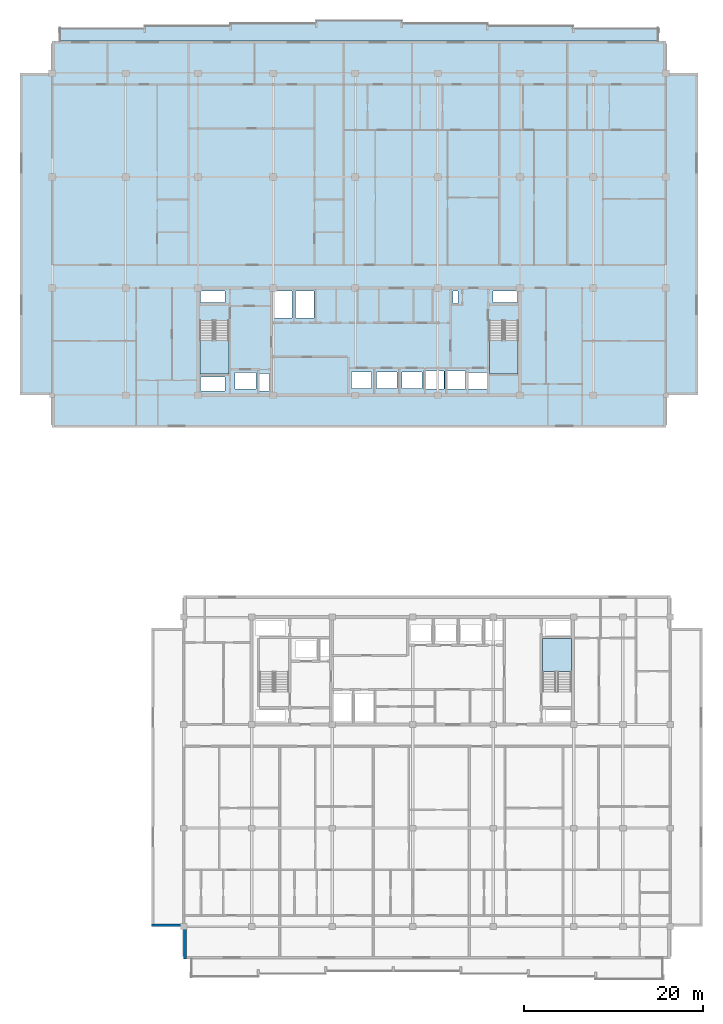
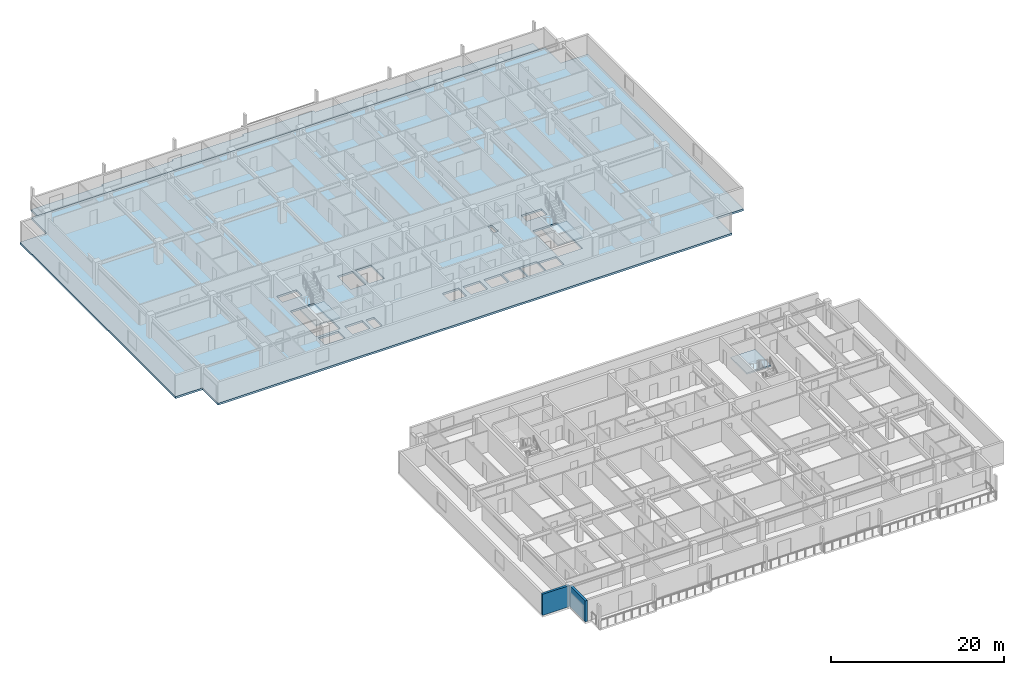
# One storey, part 3 of 21: 5 slabs, 2 walls, 3 elements without a shape of their own.
"""IFC4 building model written with IfcOpenShell, lengths in metres."""

import ifcopenshell
import ifcopenshell.guid

model = None  # the IFC model being written
_history = None  # IfcOwnerHistory: only IFC2X3 demands one
_inside = {}  # id of a spatial element -> (the spatial element, [elements in it])
_under = {}  # id of a project, library or spatial element -> (it, [spatial elements below it])
_declared = {}  # id of a project -> (the project, [libraries it declares])
_typed = {}  # id of a type object -> (the type object, [elements of that type])
_made_of = {}  # id of a material, layer set ... -> (it, [elements and type objects made of it])


def new_model(schema):
    """Start an empty IFC model of exactly this schema.

    Asked for "IFC4X3", IfcOpenShell would pick the latest addendum, in which some entities
    have other attributes; the version numbers below select the first issue.
    IFC2X3 requires an IfcOwnerHistory on every rooted entity: one is made here for all.
    """
    global model, _history
    if schema == "IFC4X3":
        model = ifcopenshell.file(schema_version=(4, 3, 0, 0))
    else:
        model = ifcopenshell.file(schema=schema)
    _inside.clear()
    _under.clear()
    _declared.clear()
    _typed.clear()
    _made_of.clear()
    _history = None
    if model.schema == "IFC2X3":
        org = make("IfcOrganization", Name="unknown")
        user = make(
            "IfcPersonAndOrganization",
            ThePerson=make("IfcPerson", FamilyName="unknown"),
            TheOrganization=org,
        )
        app = make(
            "IfcApplication",
            ApplicationDeveloper=org,
            Version="unknown",
            ApplicationFullName="unknown",
            ApplicationIdentifier="unknown",
        )
        _history = make(
            "IfcOwnerHistory",
            OwningUser=user,
            OwningApplication=app,
            ChangeAction="ADDED",
            CreationDate=0,
        )
    return model


def make(cls, **values):
    """One entity of the class cls with the attributes given. An attribute that is None is left unset."""
    return model.create_entity(
        cls, **{name: value for name, value in values.items() if value is not None}
    )


def rooted(cls, **values):
    """An entity with a GlobalId (a new one), such as an element, a storey or a relation."""
    return make(cls, GlobalId=ifcopenshell.guid.new(), OwnerHistory=_history, **values)


def si_unit(unit_type, name, prefix=None):
    """IfcSIUnit, for example si_unit("LENGTHUNIT", "METRE", prefix="MILLI")."""
    return make("IfcSIUnit", UnitType=unit_type, Prefix=prefix, Name=name)


def assignment(units):
    """IfcUnitAssignment: the units of a project."""
    return None if units is None else make("IfcUnitAssignment", Units=units)


def point(xyz):
    """IfcCartesianPoint."""
    return None if xyz is None else make("IfcCartesianPoint", Coordinates=xyz)


def direction(xyz):
    """IfcDirection."""
    return None if xyz is None else make("IfcDirection", DirectionRatios=xyz)


def frame(location, z_axis=None, x_axis=None):
    """IfcAxis2Placement3D, a coordinate frame: its origin and axes. An axis left out is left unset."""
    return make(
        "IfcAxis2Placement3D",
        Location=point(location),
        Axis=direction(z_axis),
        RefDirection=direction(x_axis),
    )


def frame_2d(location, x_axis=None):
    """IfcAxis2Placement2D, a coordinate frame in the plane: its origin and x axis."""
    return make(
        "IfcAxis2Placement2D", Location=point(location), RefDirection=direction(x_axis)
    )


def origin():
    """The frame at (0, 0, 0) with its axes left unset."""
    return frame((0.0, 0.0, 0.0))


def place(relative_to, where):
    """IfcLocalPlacement: puts the frame where relative to a parent placement (None: the world)."""
    return make(
        "IfcLocalPlacement", PlacementRelTo=relative_to, RelativePlacement=where
    )


def context(
    kind, dimensions, precision=None, world=None, true_north=None, identifier=None
):
    """IfcGeometricRepresentationContext, for example the 3D "Model" context."""
    return make(
        "IfcGeometricRepresentationContext",
        ContextIdentifier=identifier,
        ContextType=kind,
        CoordinateSpaceDimension=dimensions,
        Precision=precision,
        WorldCoordinateSystem=world,
        TrueNorth=true_north,
    )


def subcontext(parent, identifier, kind, view, scale=None):
    """IfcGeometricRepresentationSubContext, for example "Body" below "Model"."""
    return make(
        "IfcGeometricRepresentationSubContext",
        ContextIdentifier=identifier,
        ContextType=kind,
        ParentContext=parent,
        TargetScale=scale,
        TargetView=view,
    )


def project(units=None, contexts=None):
    """IfcProject with its units and contexts."""
    return rooted(
        "IfcProject",
        Name="project",
        RepresentationContexts=contexts,
        UnitsInContext=assignment(units),
    )


def spatial(cls, under=None, at=None, **own):
    """A site, building, storey or space (cls), placed at a placement, below another one or the project."""
    s = rooted(cls, ObjectPlacement=at, **own)
    if under is not None:
        _under.setdefault(under.id(), (under, []))[1].append(s)
    return s


def polyline(points):
    """IfcPolyline through the points."""
    return make("IfcPolyline", Points=[point(p) for p in points])


def profile(cls, at=None, kind="AREA", **sizes):
    """A parametric profile (cls). Its sizes go by their IFC names, for example OverallWidth=200.0."""
    return make(cls, ProfileType=kind, Position=at, **sizes)


def rectangle(**sizes):
    """IfcRectangleProfileDef."""
    return profile("IfcRectangleProfileDef", **sizes)


def outline(outer, holes=None, kind="AREA"):
    """IfcArbitraryClosedProfileDef: a profile drawn as a closed curve; with holes, ...WithVoids."""
    if holes is None:
        return make("IfcArbitraryClosedProfileDef", ProfileType=kind, OuterCurve=outer)
    return make(
        "IfcArbitraryProfileDefWithVoids",
        ProfileType=kind,
        OuterCurve=outer,
        InnerCurves=holes,
    )


def extrude(swept, where, along, depth):
    """IfcExtrudedAreaSolid: the profile swept, set in the frame where, extruded along a direction by depth."""
    return make(
        "IfcExtrudedAreaSolid",
        SweptArea=swept,
        Position=where,
        ExtrudedDirection=direction(along),
        Depth=depth,
    )


def shape(context_of_items, identifier, shape_type, items):
    """IfcShapeRepresentation: the items that make up one representation, for example the "Body"."""
    return make(
        "IfcShapeRepresentation",
        ContextOfItems=context_of_items,
        RepresentationIdentifier=identifier,
        RepresentationType=shape_type,
        Items=items,
    )


def material(Name=None, Category=None):
    """IfcMaterial."""
    return make("IfcMaterial", Name=Name, Category=Category)


def layer(
    of_material, thickness, ventilated=None, Name=None, Category=None, Priority=None
):
    """IfcMaterialLayer: one layer of a wall or slab, of a material (None: an air gap)."""
    return make(
        "IfcMaterialLayer",
        Material=of_material,
        LayerThickness=thickness,
        IsVentilated=ventilated,
        Name=Name,
        Category=Category,
        Priority=Priority,
    )


def layer_set(layers, Name=None):
    """IfcMaterialLayerSet."""
    return make("IfcMaterialLayerSet", MaterialLayers=layers, LayerSetName=Name)


def made_of(thing, what):
    """Note that an element or type object is made of a material, layer set ...; save() writes the relation."""
    if what is not None:
        _made_of.setdefault(what.id(), (what, []))[1].append(thing)
    return thing


def type_object(cls, material=None, **own):
    """A type object (cls), such as IfcWallType, which elements share."""
    return made_of(rooted(cls, **own), material)


def element(
    cls,
    number,
    at=None,
    inside=None,
    cuts=None,
    type_object=None,
    material=None,
    context=None,
    identifier="Body",
    shape_type=None,
    held_by="IfcProductDefinitionShape",
    body=None,
    shapes=None,
    **own,
):
    """One element of the class cls, such as IfcWall. Its Tag is "e" and its number.

    at: its placement. inside: the storey or other place that contains it. cuts: it is an
    opening in that element (IfcRelVoidsElement). A single representation is given by context,
    identifier, shape_type and body (its items); several are given by shapes. held_by: the class
    of the entity that holds the representations. save() writes the other relations.
    """
    e = rooted(cls, Tag="e%d" % number, ObjectPlacement=at, **own)
    if body is not None:
        shapes = [shape(context, identifier, shape_type, body)]
    if shapes is not None:
        e.Representation = make(held_by, Representations=shapes)
    if inside is not None:
        _inside.setdefault(inside.id(), (inside, []))[1].append(e)
    if cuts is not None:
        rooted(
            "IfcRelVoidsElement", RelatingBuildingElement=cuts, RelatedOpeningElement=e
        )
    if type_object is not None:
        _typed.setdefault(type_object.id(), (type_object, []))[1].append(e)
    return made_of(e, material)


def aggregate(whole, parts):
    """IfcRelAggregates: a whole, such as a stair, and the parts it consists of."""
    return rooted("IfcRelAggregates", RelatingObject=whole, RelatedObjects=parts)


def save(model, path):
    """Write the relations noted so far, then the file.

    IfcRelAggregates (storeys below a building ...), IfcRelContainedInSpatialStructure (elements
    in a storey), IfcRelDefinesByType, IfcRelAssociatesMaterial and IfcRelDeclares: one each for
    every whole, place, type object, material and project.
    """
    for whole, parts in _under.values():
        aggregate(whole, parts)
    for where, things in _inside.values():
        rooted(
            "IfcRelContainedInSpatialStructure",
            RelatedElements=things,
            RelatingStructure=where,
        )
    for kind, things in _typed.values():
        rooted("IfcRelDefinesByType", RelatedObjects=things, RelatingType=kind)
    for what, things in _made_of.values():
        rooted("IfcRelAssociatesMaterial", RelatedObjects=things, RelatingMaterial=what)
    for by, libraries in _declared.values():
        rooted("IfcRelDeclares", RelatingContext=by, RelatedDefinitions=libraries)
    model.write(path)


model = new_model("IFC4")

# Units and contexts
model_context = context("Model", 3, precision=1e-05, world=origin(), true_north=direction((0.0, 1.0)))
body_context = subcontext(model_context, "Body", "Model", "MODEL_VIEW")
ifc_project = project(units=[si_unit("LENGTHUNIT", "METRE"), si_unit("AREAUNIT", "SQUARE_METRE"), si_unit("VOLUMEUNIT", "CUBIC_METRE"), si_unit("PLANEANGLEUNIT", "RADIAN"), si_unit("MASSUNIT", "GRAM", prefix="KILO")], contexts=[model_context])

# Site, building, storey
site_placement = place(None, origin())
site = spatial("IfcSite", under=ifc_project, at=site_placement, CompositionType="ELEMENT")
building_placement = place(site_placement, origin())
building = spatial("IfcBuilding", under=site, at=building_placement, Name="Korimba Cascade Residences", CompositionType="ELEMENT")
storey_placement = place(building_placement, frame((0.0, 0.0, 171.85009765625)))
storey = spatial("IfcBuildingStorey", under=building, at=storey_placement, Name="L49", CompositionType="ELEMENT", Elevation=171.85009765625)

# Stair, slab
ifc_material_1 = material(Name="Concrete C50/60", Category="concrete")
stair_type_1 = type_object("IfcStairType", Name="STR-W1-18R-1806", PredefinedType="HALF_TURN_STAIR", material=ifc_material_1)
stair_1_placement = place(storey_placement, origin())
stair_1 = element("IfcStair", 1, at=stair_1_placement, inside=storey, type_object=stair_type_1, Name="L49 Tower 1 West Fire Stair ST-W1", PredefinedType="HALF_TURN_STAIR")
ifc_layer_1 = layer(ifc_material_1, 0.199951171875)
ifc_layer_set_1 = layer_set([ifc_layer_1], Name="Concrete C50/60")
slab_type_1 = type_object("IfcSlabType", Name="SLB-LND-220", PredefinedType="LANDING", material=ifc_layer_set_1)
slab_1_placement = place(storey_placement, frame((0.0, 0.0, 1.4248046875)))
slab_1 = element("IfcSlab", 2, at=slab_1_placement, type_object=slab_type_1, Name="ST-W1 landing 1", PredefinedType="LANDING", context=body_context, shape_type="SweptSolid", body=[
    extrude(outline(polyline([(76.300048828125, 61.31005859375), (76.300048828125, 57.60009765625), (79.5400390625, 57.60009765625), (79.5400390625, 61.31005859375), (76.300048828125, 61.31005859375)])), origin(), (0.0, 0.0, 1.0), 0.2001953125),
])
aggregate(stair_1, [slab_1])

stair_type_2 = type_object("IfcStairType", Name="STR-W2-18R-1806", PredefinedType="HALF_TURN_STAIR", material=ifc_material_1)
stair_2_placement = place(storey_placement, origin())
stair_2 = element("IfcStair", 3, at=stair_2_placement, inside=storey, type_object=stair_type_2, Name="L49 Tower 1 East Fire Stair ST-W2", PredefinedType="HALF_TURN_STAIR")
slab_2_placement = place(storey_placement, frame((0.0, 0.0, 1.4248046875)))
slab_2 = element("IfcSlab", 4, at=slab_2_placement, type_object=slab_type_1, Name="ST-W2 landing 1", PredefinedType="LANDING", context=body_context, shape_type="SweptSolid", body=[
    extrude(outline(polyline([(108.659912109375, 61.31005859375), (108.659912109375, 57.60009765625), (111.89990234375, 57.60009765625), (111.89990234375, 61.31005859375), (108.659912109375, 61.31005859375)])), origin(), (0.0, 0.0, 1.0), 0.2001953125),
])
aggregate(stair_2, [slab_2])

stair_type_3 = type_object("IfcStairType", Name="STR-E2-18R-1806", PredefinedType="HALF_TURN_STAIR", material=ifc_material_1)
stair_3_placement = place(storey_placement, origin())
stair_3 = element("IfcStair", 5, at=stair_3_placement, inside=storey, type_object=stair_type_3, Name="L49 Tower 2 East Fire Stair ST-E2", PredefinedType="HALF_TURN_STAIR")
slab_3_placement = place(storey_placement, frame((0.0, 0.0, 1.4248046875)))
slab_3 = element("IfcSlab", 6, at=slab_3_placement, type_object=slab_type_1, Name="ST-E2 landing 1", PredefinedType="LANDING", context=body_context, shape_type="SweptSolid", body=[
    extrude(outline(polyline([(117.840087890625, 24.2900390625), (117.840087890625, 28.0), (114.60009765625, 28.0), (114.60009765625, 24.2900390625), (117.840087890625, 24.2900390625)])), origin(), (0.0, 0.0, 1.0), 0.2001953125),
])
aggregate(stair_3, [slab_3])

# Slabs
ifc_material_2 = material(Name="Precast concrete C40/50", Category="concrete")
ifc_layer_2 = layer(ifc_material_2, 0.239990234375)
ifc_layer_set_2 = layer_set([ifc_layer_2], Name="Precast concrete C40/50")
slab_type_2 = type_object("IfcSlabType", Name="SLB-LOG-240", PredefinedType="FLOOR", material=ifc_layer_set_2)
slab_4_placement = place(storey_placement, frame((0.0, 0.0, -0.239990234375)))
element("IfcSlab", 7, at=slab_4_placement, inside=storey, type_object=slab_type_2, Name="L49 Tower 1 North Loggia Slab", PredefinedType="FLOOR", context=body_context, shape_type="SweptSolid", body=[
    extrude(outline(polyline([(60.60009765625, 94.800048828125), (127.60009765625, 94.800048828125), (127.60009765625, 96.25), (118.028564453125, 96.25), (118.028564453125, 96.550048828125), (108.45703125, 96.550048828125), (108.45703125, 96.85009765625), (98.8857421875, 96.85009765625), (98.8857421875, 97.14990234375), (89.314208984375, 97.14990234375), (89.314208984375, 96.85009765625), (79.742919921875, 96.85009765625), (79.742919921875, 96.550048828125), (70.17138671875, 96.550048828125), (70.17138671875, 96.25), (60.60009765625, 96.25), (60.60009765625, 94.800048828125)])), origin(), (0.0, 0.0, 1.0), 0.239990234375),
])
ifc_layer_3 = layer(ifc_material_1, 0.280029296875)
ifc_layer_set_3 = layer_set([ifc_layer_3], Name="Concrete C50/60")
slab_type_3 = type_object("IfcSlabType", Name="SLB-TYP-280", PredefinedType="FLOOR", material=ifc_layer_set_3)
slab_5_placement = place(storey_placement, frame((0.0, 0.0, -0.280029296875)))
element("IfcSlab", 8, at=slab_5_placement, inside=storey, type_object=slab_type_3, Name="L49 Tower 1 Floor Slab", PredefinedType="FLOOR", context=body_context, shape_type="SweptSolid", body=[
    extrude(outline(polyline([(59.800048828125, 51.60009765625), (128.39990234375, 51.60009765625), (128.39990234375, 55.199951171875), (132.0, 55.199951171875), (132.0, 91.199951171875), (128.39990234375, 91.199951171875), (128.39990234375, 94.800048828125), (59.800048828125, 94.800048828125), (59.800048828125, 91.199951171875), (56.199951171875, 91.199951171875), (56.199951171875, 55.199951171875), (59.800048828125, 55.199951171875), (59.800048828125, 51.60009765625)]), holes=[polyline([(76.300048828125, 63.514892578125), (76.300048828125, 57.60009765625), (79.5400390625, 57.60009765625), (79.5400390625, 63.514892578125), (76.300048828125, 63.514892578125)]), polyline([(108.659912109375, 63.514892578125), (108.659912109375, 57.60009765625), (111.89990234375, 57.60009765625), (111.89990234375, 63.514892578125), (108.659912109375, 63.514892578125)]), polyline([(80.22998046875, 55.8798828125), (82.570068359375, 55.8798828125), (82.570068359375, 57.719970703125), (80.22998046875, 57.719970703125), (80.22998046875, 55.8798828125)]), polyline([(106.080078125, 55.8798828125), (108.419921875, 55.8798828125), (108.419921875, 57.719970703125), (106.080078125, 57.719970703125), (106.080078125, 55.8798828125)]), polyline([(93.280029296875, 55.97998046875), (95.52001953125, 55.97998046875), (95.52001953125, 57.820068359375), (93.280029296875, 57.820068359375), (93.280029296875, 55.97998046875)]), polyline([(96.080078125, 55.97998046875), (98.320068359375, 55.97998046875), (98.320068359375, 57.820068359375), (96.080078125, 57.820068359375), (96.080078125, 55.97998046875)]), polyline([(98.8798828125, 55.97998046875), (101.1201171875, 55.97998046875), (101.1201171875, 57.820068359375), (98.8798828125, 57.820068359375), (98.8798828125, 55.97998046875)]), polyline([(101.304931640625, 55.8798828125), (103.594970703125, 55.8798828125), (103.594970703125, 57.919921875), (101.304931640625, 57.919921875), (101.304931640625, 55.8798828125)]), polyline([(103.705078125, 55.8798828125), (105.9951171875, 55.8798828125), (105.9951171875, 57.919921875), (103.705078125, 57.919921875), (103.705078125, 55.8798828125)]), polyline([(82.97998046875, 55.679931640625), (84.080078125, 55.679931640625), (84.080078125, 57.6201171875), (82.97998046875, 57.6201171875), (82.97998046875, 55.679931640625)]), polyline([(76.39990234375, 65.56005859375), (79.10009765625, 65.56005859375), (79.10009765625, 66.8798828125), (76.39990234375, 66.8798828125), (76.39990234375, 65.56005859375)]), polyline([(76.39990234375, 55.679931640625), (79.10009765625, 55.679931640625), (79.10009765625, 57.239990234375), (76.39990234375, 57.239990234375), (76.39990234375, 55.679931640625)]), polyline([(84.530029296875, 63.820068359375), (86.6201171875, 63.820068359375), (86.6201171875, 66.8798828125), (84.530029296875, 66.8798828125), (84.530029296875, 63.820068359375)]), polyline([(86.97998046875, 63.820068359375), (89.070068359375, 63.820068359375), (89.070068359375, 66.8798828125), (86.97998046875, 66.8798828125), (86.97998046875, 63.820068359375)]), polyline([(104.6201171875, 65.4599609375), (105.179931640625, 65.4599609375), (105.179931640625, 66.8798828125), (104.6201171875, 66.8798828125), (104.6201171875, 65.4599609375)]), polyline([(109.080078125, 65.56005859375), (111.800048828125, 65.56005859375), (111.800048828125, 66.8798828125), (109.080078125, 66.8798828125), (109.080078125, 65.56005859375)])]), origin(), (0.0, 0.0, 1.0), 0.280029296875),
])

# Walls
ifc_layer_4 = layer(ifc_material_2, 0.300048828125)
ifc_layer_set_4 = layer_set([ifc_layer_4], Name="Precast concrete C40/50")
wall_type = type_object("IfcWallType", Name="EW-STONE-300", PredefinedType="STANDARD", material=ifc_layer_set_4)
for number, where, z_axis, x_axis, name in (
    (9, (70.89990234375, -4.050048828125, 0.0), (0.0, 0.0, 1.0), (1.0, 0.0, 0.0), "L49 T2 Perimeter Stone Wall E10"),
    (10, (74.64990234375, -4.199951171875, 0.0), (0.0, 0.0, 1.0), (0.0, -1.0, 0.0), "L49 T2 Perimeter Stone Wall E11"),
):
    element("IfcWall", number, at=place(storey_placement, frame(where, z_axis=z_axis, x_axis=x_axis)), inside=storey, type_object=wall_type, Name=name, PredefinedType="STANDARD", context=body_context, shape_type="SweptSolid", body=[
        extrude(rectangle(XDim=3.60009765625, YDim=0.300048828125, at=frame_2d((1.800048828125, 0.0))), origin(), (0.0, 0.0, 1.0), 2.969970703125),
    ])

save(model, "model.ifc")
